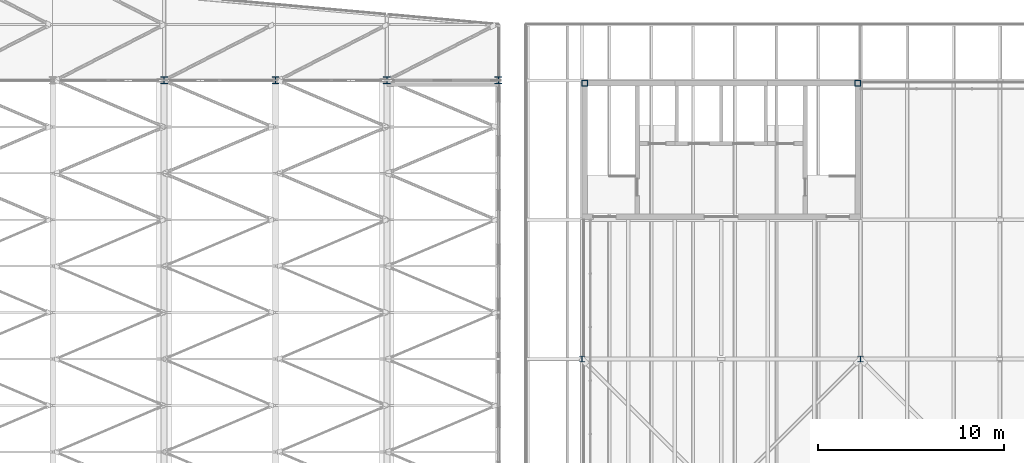
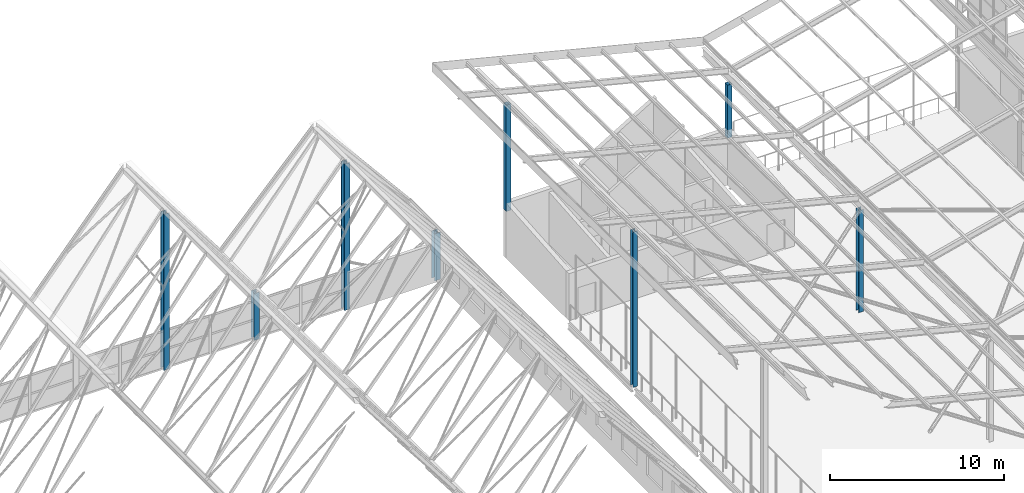
# One storey, part 6 of 483: 8 columns.
"""IFC4 building model written with IfcOpenShell, lengths in metres."""

from ifc_helpers import new_model, si_unit, direction, frame, origin, origin_2d, place, context, subcontext, project, spatial, hollow_rectangle, i_section, extrude, material, material_profile, profile_set, type_object, element, save


model = new_model("IFC4")

# Units and contexts
model_context = context("Model", 3, precision=1e-05, world=origin(), true_north=direction((0.0, 1.0)))
body_context = subcontext(model_context, "Body", "Model", "MODEL_VIEW")
ifc_project = project(units=[si_unit("LENGTHUNIT", "METRE"), si_unit("AREAUNIT", "SQUARE_METRE"), si_unit("VOLUMEUNIT", "CUBIC_METRE"), si_unit("PLANEANGLEUNIT", "RADIAN"), si_unit("MASSUNIT", "GRAM", prefix="KILO")], contexts=[model_context])

# Site, building, storey
site_placement = place(None, origin())
site = spatial("IfcSite", under=ifc_project, at=site_placement, CompositionType="ELEMENT")
building_placement = place(site_placement, origin())
building = spatial("IfcBuilding", under=site, at=building_placement, Name="Parallax Yard Mobility Hub", CompositionType="ELEMENT")
storey_placement = place(building_placement, frame((0.0, 0.0, 13.199951171875)))
storey = spatial("IfcBuildingStorey", under=building, at=storey_placement, Name="L04", CompositionType="ELEMENT", Elevation=13.199951171875)

# Columns
ifc_material_1 = material(Name="Steel ASTM A500 Gr C", Category="steel")
ifc_material_profile_1 = material_profile(ifc_material_1, hollow_rectangle(XDim=0.3046875, YDim=0.3046875, WallThickness=0.0126953125, at=origin_2d()), Name="HSS305x305x12.7")
ifc_profile_set_1 = profile_set([ifc_material_profile_1], Name="Steel ASTM A500 Gr C")
column_type_1 = type_object("IfcColumnType", Name="Roof column HSS305x305x12.7", PredefinedType="COLUMN", material=ifc_profile_set_1)
column_1_placement = place(storey_placement, frame((97.64990234375, 52.35009765625, 3.300048828125), z_axis=(0.0, 0.0, 1.0), x_axis=(1.0, 0.0, 0.0)))
element("IfcColumn", 1, at=column_1_placement, inside=storey, type_object=column_type_1, Name="Roof post on core roof at x 97.5", PredefinedType="COLUMN", context=body_context, shape_type="SweptSolid", body=[
    extrude(hollow_rectangle(XDim=0.3046875, YDim=0.3046875, WallThickness=0.0126953125, at=origin_2d()), origin(), (0.0, 0.0, 1.0), 7.469970703125),
])
column_2_placement = place(storey_placement, frame((112.35009765625, 52.35009765625, 3.300048828125), z_axis=(0.0, 0.0, 1.0), x_axis=(1.0, 0.0, 0.0)))
element("IfcColumn", 2, at=column_2_placement, inside=storey, type_object=column_type_1, Name="Roof post on core roof at x 112.5", PredefinedType="COLUMN", context=body_context, shape_type="SweptSolid", body=[
    extrude(hollow_rectangle(XDim=0.3046875, YDim=0.3046875, WallThickness=0.0126953125, at=origin_2d()), origin(), (0.0, 0.0, 1.0), 3.719970703125),
])
ifc_material_2 = material(Name="Steel ASTM A992", Category="steel")
ifc_material_profile_2 = material_profile(ifc_material_2, i_section(OverallWidth=0.306884765625, OverallDepth=0.318115234375, WebThickness=0.01318359375, FlangeThickness=0.0205078125, FilletRadius=0.01513671875, at=origin_2d()), Name="W310x129")
ifc_profile_set_2 = profile_set([ifc_material_profile_2], Name="Steel ASTM A992")
column_type_2 = type_object("IfcColumnType", Name="W310x129 column", PredefinedType="COLUMN", material=ifc_profile_set_2)
column_3_placement = place(storey_placement, frame((97.5, 37.5, 0.0), z_axis=(0.0, 0.0, 1.0), x_axis=(1.0, 0.0, 0.0)))
element("IfcColumn", 3, at=column_3_placement, inside=storey, type_object=column_type_2, Name="Roof column F/14 level L04", PredefinedType="COLUMN", context=body_context, shape_type="SweptSolid", body=[
    extrude(i_section(OverallWidth=0.306884765625, OverallDepth=0.318115234375, WebThickness=0.01318359375, FlangeThickness=0.0205078125, FilletRadius=0.01513671875, at=origin_2d()), origin(), (0.0, 0.0, 1.0), 10.920166015625),
])
column_4_placement = place(storey_placement, frame((112.5, 37.5, 0.0), z_axis=(0.0, 0.0, 1.0), x_axis=(1.0, 0.0, 0.0)))
element("IfcColumn", 4, at=column_4_placement, inside=storey, type_object=column_type_2, Name="Roof column F/16 level L04", PredefinedType="COLUMN", context=body_context, shape_type="SweptSolid", body=[
    extrude(i_section(OverallWidth=0.306884765625, OverallDepth=0.318115234375, WebThickness=0.01318359375, FlangeThickness=0.0205078125, FilletRadius=0.01513671875, at=origin_2d()), origin(), (0.0, 0.0, 1.0), 7.170166015625),
])
ifc_material_profile_3 = material_profile(ifc_material_2, i_section(OverallWidth=0.373046875, OverallDepth=0.367919921875, WebThickness=0.014892578125, FlangeThickness=0.02392578125, FilletRadius=0.01513671875, at=origin_2d()), Name="W360x179")
ifc_profile_set_3 = profile_set([ifc_material_profile_3], Name="Steel ASTM A992")
column_type_3 = type_object("IfcColumnType", Name="W360x179 column", PredefinedType="COLUMN", material=ifc_profile_set_3)
column_5_placement = place(storey_placement, frame((75.0, 52.5, 0.0), z_axis=(0.0, 0.0, 1.0), x_axis=(1.0, 0.0, 0.0)))
element("IfcColumn", 5, at=column_5_placement, inside=storey, type_object=column_type_3, Name="Ridge column F12 north level L04", PredefinedType="COLUMN", context=body_context, shape_type="SweptSolid", body=[
    extrude(i_section(OverallWidth=0.373046875, OverallDepth=0.367919921875, WebThickness=0.014892578125, FlangeThickness=0.02392578125, FilletRadius=0.01513671875, at=origin_2d()), origin(), (0.0, 0.0, 1.0), 10.967041015625),
])
column_6_placement = place(storey_placement, frame((81.0, 52.5, 0.0), z_axis=(0.0, 0.0, 1.0), x_axis=(1.0, 0.0, 0.0)))
element("IfcColumn", 6, at=column_6_placement, inside=storey, type_object=column_type_3, Name="Valley column F13 north level L04", PredefinedType="COLUMN", context=body_context, shape_type="SweptSolid", body=[
    extrude(i_section(OverallWidth=0.373046875, OverallDepth=0.367919921875, WebThickness=0.014892578125, FlangeThickness=0.02392578125, FilletRadius=0.01513671875, at=origin_2d()), origin(), (0.0, 0.0, 1.0), 3.300048828125),
])
column_7_placement = place(storey_placement, frame((87.0, 52.5, 0.0), z_axis=(0.0, 0.0, 1.0), x_axis=(1.0, 0.0, 0.0)))
element("IfcColumn", 7, at=column_7_placement, inside=storey, type_object=column_type_3, Name="Ridge column F14 north level L04", PredefinedType="COLUMN", context=body_context, shape_type="SweptSolid", body=[
    extrude(i_section(OverallWidth=0.373046875, OverallDepth=0.367919921875, WebThickness=0.014892578125, FlangeThickness=0.02392578125, FilletRadius=0.01513671875, at=origin_2d()), origin(), (0.0, 0.0, 1.0), 10.300048828125),
])
column_8_placement = place(storey_placement, frame((93.0, 52.5, 0.0), z_axis=(0.0, 0.0, 1.0), x_axis=(1.0, 0.0, 0.0)))
element("IfcColumn", 8, at=column_8_placement, inside=storey, type_object=column_type_3, Name="Valley column F15 north level L04", PredefinedType="COLUMN", context=body_context, shape_type="SweptSolid", body=[
    extrude(i_section(OverallWidth=0.373046875, OverallDepth=0.367919921875, WebThickness=0.014892578125, FlangeThickness=0.02392578125, FilletRadius=0.01513671875, at=origin_2d()), origin(), (0.0, 0.0, 1.0), 3.300048828125),
])

save(model, "model.ifc")
